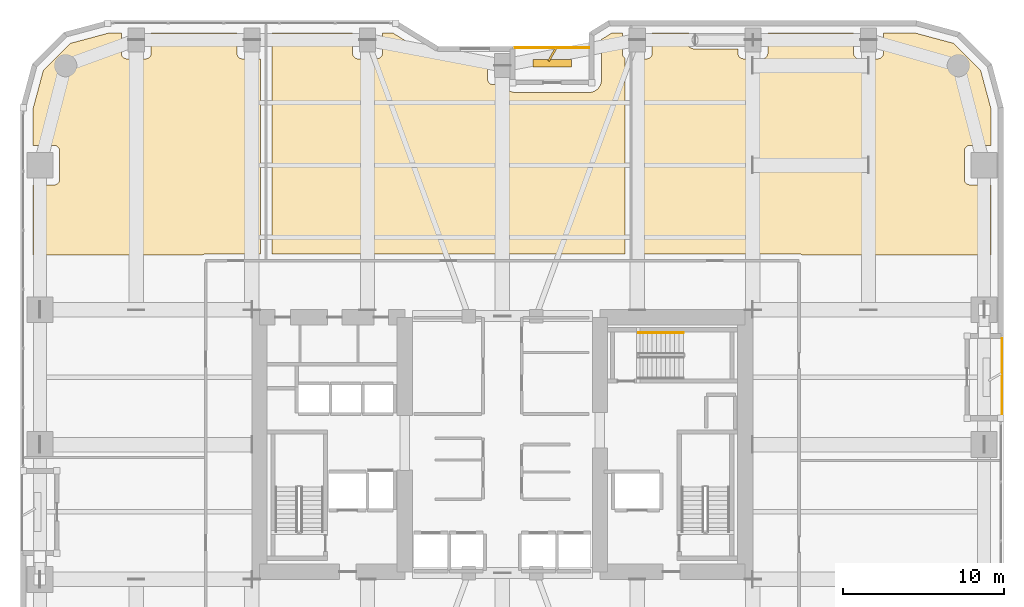
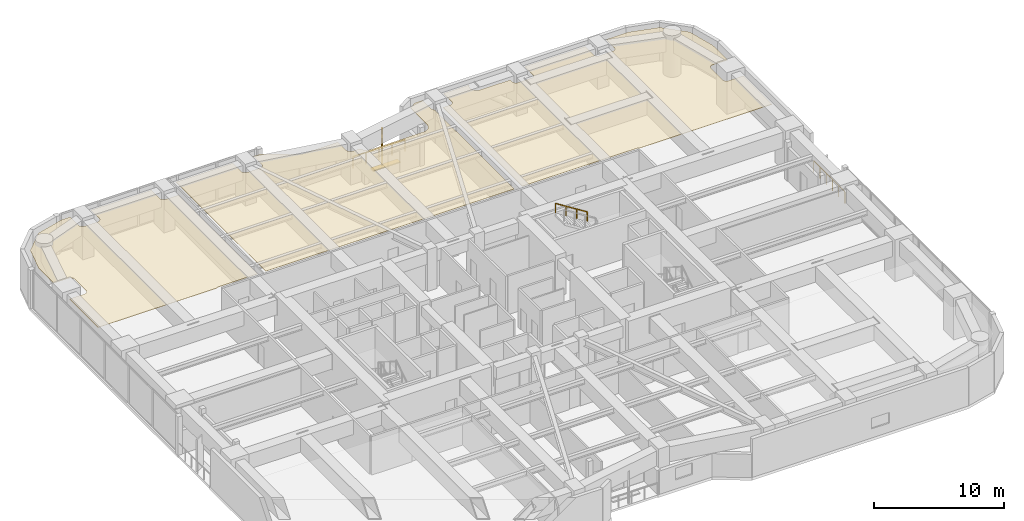
# One storey, part 28 of 28: 3 coverings, 3 railings, 2 shading devices.
"""IFC4 building model written with IfcOpenShell, lengths in metres."""

from ifc_helpers import new_model, si_unit, direction, frame, origin, origin_2d, place, context, subcontext, project, spatial, polyline, rectangle, outline, extrude, material, layer, layer_set, type_object, element, save


model = new_model("IFC4")

# Units and contexts
model_context = context("Model", 3, precision=1e-05, world=origin(), true_north=direction((0.0, 1.0)))
body_context = subcontext(model_context, "Body", "Model", "MODEL_VIEW")
ifc_project = project(units=[si_unit("LENGTHUNIT", "METRE"), si_unit("AREAUNIT", "SQUARE_METRE"), si_unit("VOLUMEUNIT", "CUBIC_METRE"), si_unit("PLANEANGLEUNIT", "RADIAN"), si_unit("MASSUNIT", "GRAM", prefix="KILO")], contexts=[model_context])

# Site, building, storey
site_placement = place(None, origin())
site = spatial("IfcSite", under=ifc_project, at=site_placement, CompositionType="ELEMENT")
building_placement = place(site_placement, origin())
building = spatial("IfcBuilding", under=site, at=building_placement, Name="Kiyonajd Concourse Tower", CompositionType="ELEMENT")
storey_placement = place(building_placement, frame((0.0, 0.0, 76.800048828125)))
storey = spatial("IfcBuildingStorey", under=building, at=storey_placement, Name="L20", CompositionType="ELEMENT", Elevation=76.800048828125)

# Coverings
ifc_material_1 = material(Name="Natural Oak Acoustic Timber Veneer", Category="wood")
ifc_layer = layer(ifc_material_1, 0.0400390625)
ifc_layer_set = layer_set([ifc_layer], Name="Natural Oak Acoustic Timber Veneer")
covering_type = type_object("IfcCoveringType", Name="CV-CLG-ACST", PredefinedType="CEILING", material=ifc_layer_set)
covering_1_placement = place(storey_placement, frame((0.0, 0.0, 3.419921875)))
element("IfcCovering", 1, at=covering_1_placement, inside=storey, type_object=covering_type, Name="L20-44 Room Acoustic Ceiling", PredefinedType="CEILING", context=body_context, shape_type="SweptSolid", body=[
    extrude(outline(polyline([(21.097900390625, 60.986083984375), (23.5009765625, 61.6298828125), (24.27001953125, 61.6298828125), (24.27197265625, 60.3359375), (24.297119140625, 60.236083984375), (24.3291015625, 60.176025390625), (24.373046875, 60.123046875), (24.426025390625, 60.0791015625), (24.486083984375, 60.047119140625), (24.5859375, 60.02197265625), (25.81396484375, 60.02197265625), (25.9140625, 60.047119140625), (26.001953125, 60.09912109375), (26.051025390625, 60.14794921875), (26.089111328125, 60.205078125), (26.123046875, 60.302001953125), (26.1298828125, 60.3701171875), (26.1298828125, 61.6298828125), (31.469970703125, 61.6298828125), (31.471923828125, 60.3359375), (31.4970703125, 60.236083984375), (31.529052734375, 60.176025390625), (31.572998046875, 60.123046875), (31.6259765625, 60.0791015625), (31.68603515625, 60.047119140625), (31.785888671875, 60.02197265625), (32.929931640625, 60.02001953125), (32.929931640625, 47.8701171875), (29.52490234375, 47.8701171875), (29.39501953125, 47.85009765625), (29.33203125, 47.823974609375), (29.277099609375, 47.7900390625), (18.77001953125, 47.7900390625), (18.77001953125, 52.169921875), (20.080078125, 52.169921875), (20.14794921875, 52.177001953125), (20.2451171875, 52.2109375), (20.302001953125, 52.2490234375), (20.35107421875, 52.298095703125), (20.388916015625, 52.35498046875), (20.4150390625, 52.41796875), (20.429931640625, 52.52001953125), (20.429931640625, 54.280029296875), (20.4150390625, 54.382080078125), (20.388916015625, 54.445068359375), (20.35107421875, 54.501953125), (20.302001953125, 54.551025390625), (20.2451171875, 54.589111328125), (20.181884765625, 54.614990234375), (20.114013671875, 54.6279296875), (18.77001953125, 54.6298828125), (18.77001953125, 56.89892578125), (19.4140625, 59.302001953125), (21.097900390625, 60.986083984375)])), origin(), (0.0, 0.0, 1.0), 0.0400390625),
])
covering_2_placement = place(storey_placement, frame((0.0, 0.0, 3.419921875)))
element("IfcCovering", 2, at=covering_2_placement, inside=storey, type_object=covering_type, Name="L20-45 Room Acoustic Ceiling", PredefinedType="CEILING", context=body_context, shape_type="SweptSolid", body=[
    extrude(outline(polyline([(43.694091796875, 60.093994140625), (43.85888671875, 60.04296875), (44.0, 60.030029296875), (47.070068359375, 60.030029296875), (47.072021484375, 58.736083984375), (47.096923828125, 58.635986328125), (47.14892578125, 58.548095703125), (47.197998046875, 58.4990234375), (47.2548828125, 58.4609375), (47.318115234375, 58.43505859375), (47.385986328125, 58.422119140625), (48.0830078125, 58.419921875), (48.16796875, 58.260986328125), (48.215087890625, 58.198974609375), (48.299072265625, 58.114990234375), (48.361083984375, 58.068115234375), (48.471923828125, 58.00390625), (48.56005859375, 57.968994140625), (48.633056640625, 57.947998046875), (48.800048828125, 57.929931640625), (53.491943359375, 57.93603515625), (53.60693359375, 57.9580078125), (53.7041015625, 57.991943359375), (53.839111328125, 58.068115234375), (53.931884765625, 58.14306640625), (54.008056640625, 58.22802734375), (54.056884765625, 58.300048828125), (54.10791015625, 58.39599609375), (54.152099609375, 58.532958984375), (54.16796875, 58.658935546875), (54.169921875, 61.23095703125), (54.818115234375, 61.6298828125), (55.469970703125, 61.6298828125), (55.471923828125, 60.3359375), (55.4970703125, 60.236083984375), (55.529052734375, 60.176025390625), (55.572998046875, 60.123046875), (55.64990234375, 60.06396484375), (55.64990234375, 47.8701171875), (33.64990234375, 47.8701171875), (33.64990234375, 61.6298828125), (38.669921875, 61.6298828125), (38.669921875, 60.3701171875), (38.677001953125, 60.302001953125), (38.7109375, 60.205078125), (38.7490234375, 60.14794921875), (38.798095703125, 60.09912109375), (38.885986328125, 60.047119140625), (38.951904296875, 60.027099609375), (39.02001953125, 60.02001953125), (40.214111328125, 60.02197265625), (40.31396484375, 60.047119140625), (40.402099609375, 60.09912109375), (40.450927734375, 60.14794921875), (40.489013671875, 60.205078125), (40.514892578125, 60.26806640625), (40.528076171875, 60.3359375), (40.530029296875, 61.6298828125), (41.181884765625, 61.6298828125), (43.596923828125, 60.14404296875), (43.694091796875, 60.093994140625)])), origin(), (0.0, 0.0, 1.0), 0.0400390625),
])
covering_3_placement = place(storey_placement, frame((0.0, 0.0, 3.419921875)))
element("IfcCovering", 3, at=covering_3_placement, inside=storey, type_object=covering_type, Name="L20-46 Room Acoustic Ceiling", PredefinedType="CEILING", context=body_context, shape_type="SweptSolid", body=[
    extrude(outline(polyline([(59.6259765625, 61.6298828125), (59.5390625, 61.533935546875), (59.498046875, 61.469970703125), (59.467041015625, 61.40087890625), (59.43603515625, 61.27490234375), (59.429931640625, 61.199951171875), (59.43603515625, 61.125), (59.467041015625, 60.9990234375), (59.498046875, 60.929931640625), (59.5390625, 60.865966796875), (59.637939453125, 60.759033203125), (59.759033203125, 60.68408203125), (59.87109375, 60.64501953125), (59.97802734375, 60.631103515625), (62.669921875, 60.6298828125), (62.672119140625, 60.3359375), (62.68505859375, 60.26806640625), (62.7109375, 60.205078125), (62.77294921875, 60.123046875), (62.85498046875, 60.06103515625), (62.91796875, 60.034912109375), (63.02001953125, 60.02001953125), (64.214111328125, 60.02197265625), (64.31396484375, 60.047119140625), (64.3740234375, 60.0791015625), (64.427001953125, 60.123046875), (64.489013671875, 60.205078125), (64.514892578125, 60.26806640625), (64.528076171875, 60.3359375), (64.530029296875, 61.6298828125), (69.8701171875, 61.6298828125), (69.8701171875, 60.3701171875), (69.876953125, 60.302001953125), (69.89697265625, 60.236083984375), (69.928955078125, 60.176025390625), (69.998046875, 60.09912109375), (70.0859375, 60.047119140625), (70.18603515625, 60.02197265625), (71.4140625, 60.02197265625), (71.513916015625, 60.047119140625), (71.573974609375, 60.0791015625), (71.626953125, 60.123046875), (71.68896484375, 60.205078125), (71.715087890625, 60.26806640625), (71.72802734375, 60.3359375), (71.72998046875, 61.6298828125), (73.698974609375, 61.6298828125), (76.10205078125, 60.986083984375), (77.785888671875, 59.302001953125), (78.429931640625, 56.89892578125), (78.429931640625, 54.6298828125), (77.1201171875, 54.6298828125), (77.052001953125, 54.623046875), (76.986083984375, 54.60302734375), (76.926025390625, 54.571044921875), (76.84912109375, 54.501953125), (76.81103515625, 54.445068359375), (76.784912109375, 54.382080078125), (76.77001953125, 54.280029296875), (76.77001953125, 52.52001953125), (76.784912109375, 52.41796875), (76.81103515625, 52.35498046875), (76.84912109375, 52.298095703125), (76.89794921875, 52.2490234375), (76.955078125, 52.2109375), (77.01806640625, 52.18505859375), (77.0859375, 52.172119140625), (78.429931640625, 52.169921875), (78.429931640625, 47.7900390625), (66.722900390625, 47.7900390625), (66.66796875, 47.823974609375), (66.60498046875, 47.85009765625), (66.47509765625, 47.8701171875), (56.3701171875, 47.8701171875), (56.3701171875, 60.02001953125), (56.97998046875, 60.02001953125), (57.048095703125, 60.027099609375), (57.114013671875, 60.047119140625), (57.201904296875, 60.09912109375), (57.2509765625, 60.14794921875), (57.2890625, 60.205078125), (57.31494140625, 60.26806640625), (57.330078125, 60.3701171875), (57.330078125, 61.6298828125), (59.6259765625, 61.6298828125)])), origin(), (0.0, 0.0, 1.0), 0.0400390625),
])

# Railings
ifc_material_2 = material(Name="Thermally Broken Anodised Aluminium", Category="aluminium")
railing_type_1 = type_object("IfcRailingType", Name="RL-GRD-LOG", PredefinedType="GUARDRAIL", material=ifc_material_2)
railing_1_placement = place(storey_placement, frame((53.39990234375, 60.719970703125, 0.0)))
element("IfcRailing", 4, at=railing_1_placement, inside=storey, type_object=railing_type_1, Name="L20 Engawa Loggia Perimeter Guard LOG-N", PredefinedType="GUARDRAIL", context=body_context, shape_type="SweptSolid", body=[
    extrude(rectangle(XDim=0.048095703125, YDim=0.048095703125, at=origin_2d()), frame((0.0, 0.0, 1.076171875), z_axis=(-1.0, 0.0, 0.0), x_axis=(0.0, -1.0, 0.0)), (0.0, 0.0, 1.0), 4.599853515625),
    extrude(rectangle(XDim=0.0419921875, YDim=0.0419921875, at=origin_2d()), origin(), (0.0, 0.0, 1.0), 1.052001953125),
    extrude(rectangle(XDim=0.0419921875, YDim=0.0419921875, at=origin_2d()), frame((-1.14990234375, 0.0, 0.0)), (0.0, 0.0, 1.0), 1.052001953125),
    extrude(rectangle(XDim=0.0419921875, YDim=0.0419921875, at=origin_2d()), frame((-2.2998046875, 0.0, 0.0)), (0.0, 0.0, 1.0), 1.052001953125),
    extrude(rectangle(XDim=0.0419921875, YDim=0.0419921875, at=origin_2d()), frame((-3.449951171875, 0.0, 0.0)), (0.0, 0.0, 1.0), 1.052001953125),
    extrude(rectangle(XDim=0.0419921875, YDim=0.0419921875, at=origin_2d()), frame((-4.599853515625, 0.0, 0.0)), (0.0, 0.0, 1.0), 1.052001953125),
])
railing_2_placement = place(storey_placement, frame((79.1201171875, 37.800048828125, 0.0)))
element("IfcRailing", 5, at=railing_2_placement, inside=storey, type_object=railing_type_1, Name="L20 Engawa Loggia Perimeter Guard LOG-E", PredefinedType="GUARDRAIL", context=body_context, shape_type="SweptSolid", body=[
    extrude(rectangle(XDim=0.048095703125, YDim=0.048095703125, at=origin_2d()), frame((0.0, 0.0, 1.076171875), z_axis=(0.0, 1.0, 0.0), x_axis=(-1.0, 0.0, 0.0)), (0.0, 0.0, 1.0), 4.800048828125),
    extrude(rectangle(XDim=0.0419921875, YDim=0.0419921875, at=origin_2d()), origin(), (0.0, 0.0, 1.0), 1.052001953125),
    extrude(rectangle(XDim=0.0419921875, YDim=0.0419921875, at=origin_2d()), frame((0.0, 0.9599609375, 0.0)), (0.0, 0.0, 1.0), 1.052001953125),
    extrude(rectangle(XDim=0.0419921875, YDim=0.0419921875, at=origin_2d()), frame((0.0, 1.919921875, 0.0)), (0.0, 0.0, 1.0), 1.052001953125),
    extrude(rectangle(XDim=0.0419921875, YDim=0.0419921875, at=origin_2d()), frame((0.0, 2.880126953125, 0.0)), (0.0, 0.0, 1.0), 1.052001953125),
    extrude(rectangle(XDim=0.0419921875, YDim=0.0419921875, at=origin_2d()), frame((0.0, 3.840087890625, 0.0)), (0.0, 0.0, 1.0), 1.052001953125),
    extrude(rectangle(XDim=0.0419921875, YDim=0.0419921875, at=origin_2d()), frame((0.0, 4.800048828125, 0.0)), (0.0, 0.0, 1.0), 1.052001953125),
])
ifc_material_3 = material(Name="Brushed Stainless Steel Cab Assembly", Category="steel")
railing_type_2 = type_object("IfcRailingType", Name="RL-HND-900", PredefinedType="HANDRAIL", material=ifc_material_3)
railing_3_placement = place(storey_placement, frame((59.280029296875, 42.969970703125, 2.127197265625)))
element("IfcRailing", 6, at=railing_3_placement, inside=storey, type_object=railing_type_2, Name="L20 ST3 stair handrail 2", PredefinedType="HANDRAIL", context=body_context, shape_type="SweptSolid", body=[
    extrude(rectangle(XDim=0.048095703125, YDim=0.048095703125, at=origin_2d()), frame((0.0, 0.0, 0.8759765625), z_axis=(-0.844908973607, 0.0, 0.534910110503), x_axis=(0.0, -1.0, 0.0)), (0.0, 0.0, 1.0), 3.31396484375),
    extrude(rectangle(XDim=0.0419921875, YDim=0.0419921875, at=origin_2d()), origin(), (0.0, 0.0, 1.0), 0.851806640625),
    extrude(rectangle(XDim=0.0419921875, YDim=0.0419921875, at=origin_2d()), frame((-0.933349609375, 0.0, 0.5908203125)), (0.0, 0.0, 1.0), 0.851806640625),
    extrude(rectangle(XDim=0.0419921875, YDim=0.0419921875, at=origin_2d()), frame((-1.86669921875, 0.0, 1.181884765625)), (0.0, 0.0, 1.0), 0.851806640625),
    extrude(rectangle(XDim=0.0419921875, YDim=0.0419921875, at=origin_2d()), frame((-2.800048828125, 0.0, 1.772705078125)), (0.0, 0.0, 1.0), 0.851806640625),
])

# Shading devices
ifc_material_4 = material(Name="Precast concrete C50/60", Category="concrete")
shading_device_type_1 = type_object("IfcShadingDeviceType", Name="SH-FIN-900", PredefinedType="USERDEFINED", material=ifc_material_4)
shading_device_1_placement = place(storey_placement, frame((51.10009765625, 60.27001953125, 0.0), z_axis=(0.0, 0.0, 1.0), x_axis=(0.5, 0.866025403784, 0.0)))
element("IfcShadingDevice", 7, at=shading_device_1_placement, inside=storey, type_object=shading_device_type_1, Name="L20 Angled Koshi Solar Fin LOG-N", ObjectType="FIN", PredefinedType="USERDEFINED", context=body_context, shape_type="SweptSolid", body=[
    extrude(rectangle(XDim=0.89990234375, YDim=0.1201171875, at=origin_2d()), origin(), (0.0, 0.0, 1.0), 3.0),
])
shading_device_type_2 = type_object("IfcShadingDeviceType", Name="SH-LVR-600", PredefinedType="JALOUSIE", material=ifc_material_2)
shading_device_2_placement = place(storey_placement, frame((51.10009765625, 59.75, 0.0), z_axis=(0.0, 0.0, 1.0), x_axis=(1.0, 0.0, 0.0)))
element("IfcShadingDevice", 8, at=shading_device_2_placement, inside=storey, type_object=shading_device_type_2, Name="L20 Loggia Threshold Louver LOG-N", PredefinedType="JALOUSIE", context=body_context, shape_type="SweptSolid", body=[
    extrude(rectangle(XDim=2.39990234375, YDim=0.449951171875, at=origin_2d()), origin(), (0.0, 0.0, 1.0), 0.10009765625),
])

save(model, "model.ifc")
